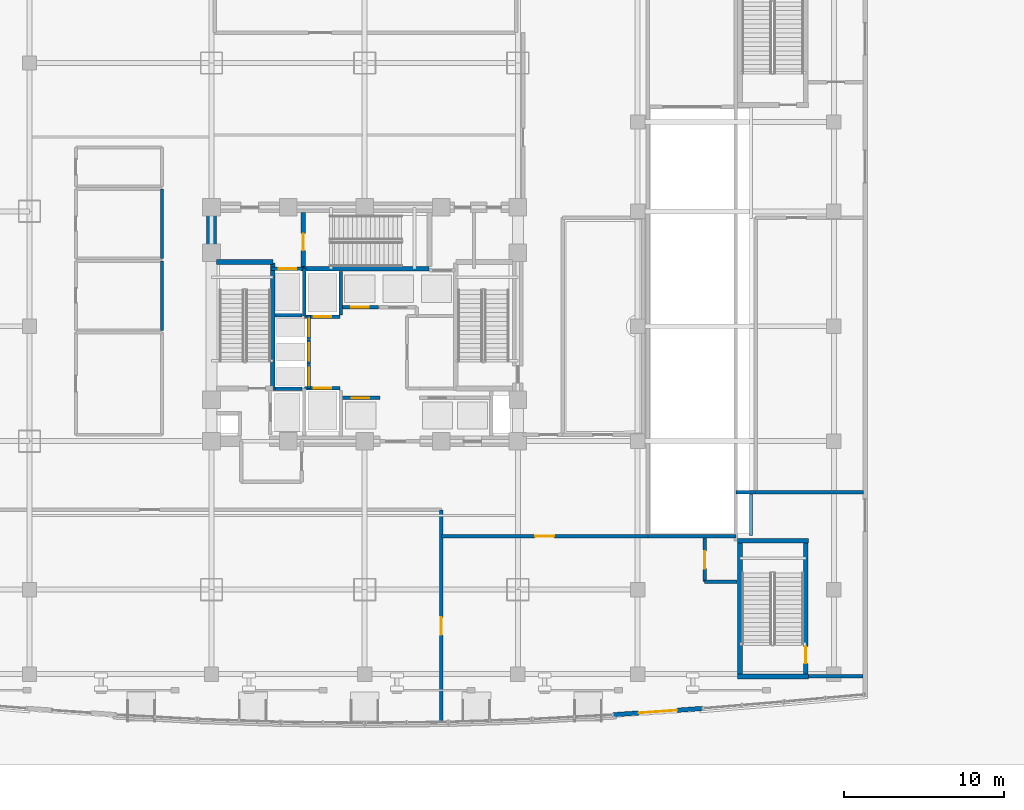
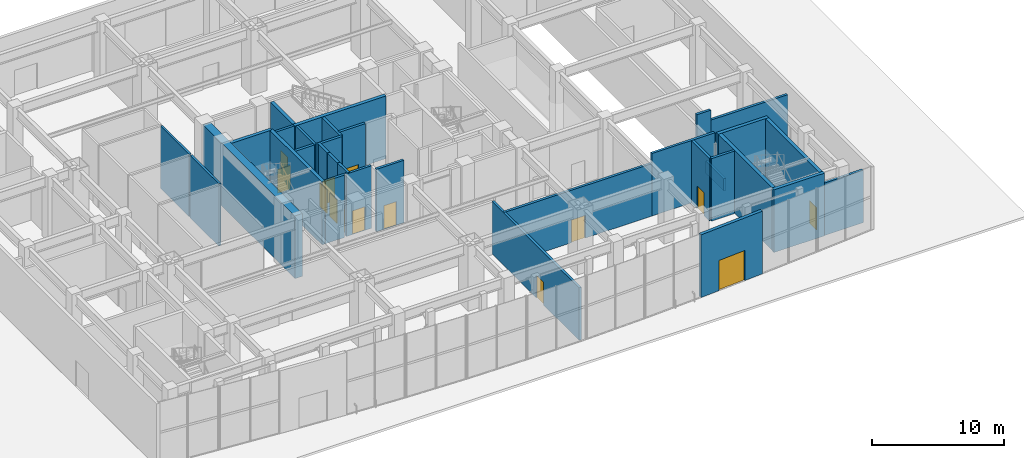
# One storey, part 13 of 23: 33 walls, 14 doors, 14 openings.
"""IFC4 building model written with IfcOpenShell, lengths in metres."""

from ifc_helpers import new_model, si_unit, direction, frame, frame_2d, origin, place, context, subcontext, project, spatial, rectangle, extrude, material, layer, layer_set, type_object, element, fill, save


model = new_model("IFC4")

# Units and contexts
model_context = context("Model", 3, precision=1e-05, world=origin(), true_north=direction((0.0, 1.0)))
body_context = subcontext(model_context, "Body", "Model", "MODEL_VIEW")
ifc_project = project(units=[si_unit("LENGTHUNIT", "METRE"), si_unit("AREAUNIT", "SQUARE_METRE"), si_unit("VOLUMEUNIT", "CUBIC_METRE"), si_unit("PLANEANGLEUNIT", "RADIAN"), si_unit("MASSUNIT", "GRAM", prefix="KILO")], contexts=[model_context])

# Site, building, storey
site_placement = place(None, origin())
site = spatial("IfcSite", under=ifc_project, at=site_placement, CompositionType="ELEMENT")
building_placement = place(site_placement, origin())
building = spatial("IfcBuilding", under=site, at=building_placement, Name="Vantalir Tower", CompositionType="ELEMENT")
storey_placement = place(building_placement, origin())
storey = spatial("IfcBuildingStorey", under=building, at=storey_placement, Name="L00", CompositionType="ELEMENT", Elevation=0.0)

# Wall
ifc_material_1 = material(Name="Concrete C60/75", Category="concrete")
ifc_layer_1 = layer(ifc_material_1, 0.64990234375)
ifc_layer_set_1 = layer_set([ifc_layer_1], Name="Concrete C60/75")
wall_type_1 = type_object("IfcWallType", Name="WL-CORE-650", PredefinedType="SHEAR", material=ifc_layer_set_1)
wall_1_placement = place(storey_placement, frame((21.89990234375, 18.125, 0.0), z_axis=(0.0, 0.0, 1.0), x_axis=(0.0, 1.0, 0.0)))
element("IfcWall", 1, at=wall_1_placement, inside=storey, type_object=wall_type_1, Name="L00 Core Shear Wall West", PredefinedType="SHEAR", context=body_context, shape_type="SweptSolid", body=[
    extrude(rectangle(XDim=14.0, YDim=0.64990234375, at=frame_2d((7.0, 0.0))), origin(), (0.0, 0.0, 1.0), 5.820068359375),
])

# Wall, opening, door
ifc_material_2 = material(Name="Precast concrete C40/50 with insulated PVDF rainscreen", Category="concrete")
ifc_layer_2 = layer(ifc_material_2, 0.280029296875)
ifc_layer_set_2 = layer_set([ifc_layer_2], Name="Precast concrete C40/50 with insulated PVDF rainscreen")
wall_type_2 = type_object("IfcWallType", Name="WL-EXT-POD-280", PredefinedType="SOLIDWALL", material=ifc_layer_set_2)
wall_2_placement = place(storey_placement, frame((47.06494140625, 0.654052734375, 0.0), z_axis=(0.0, 0.0, 1.0), x_axis=(0.997490275024, 0.070803610312, 0.0)))
wall_2 = element("IfcWall", 2, at=wall_2_placement, inside=storey, type_object=wall_type_2, Name="L00 Observation Concourse Grand Entrance Portal Wall", PredefinedType="SOLIDWALL", context=body_context, shape_type="SweptSolid", body=[
    extrude(rectangle(XDim=5.63427734375, YDim=0.280029296875, at=frame_2d((2.817138671875, 0.0))), origin(), (0.0, 0.0, 1.0), 5.820068359375),
])
opening_1_placement = place(wall_2_placement, frame((1.616943359375, 0.0, 0.0)))
opening_1 = element("IfcOpeningElement", 3, at=opening_1_placement, cuts=wall_2, Name="Opening D-ENT02", PredefinedType="OPENING", context=body_context, shape_type="SweptSolid", body=[
    extrude(rectangle(XDim=2.39990234375, YDim=2.800048828125, at=frame_2d((1.199951171875, 1.39990234375))), frame((0.0, 0.14990234375, 0.0), z_axis=(0.0, -1.0, 0.0), x_axis=(1.0, 0.0, 0.0)), (0.0, 0.0, 1.0), 0.300048828125),
])
ifc_material_3 = material(Name="Champagne-silver aluminium glazed entrance door", Category="aluminium")
door_type_1 = type_object("IfcDoorType", Name="DR-EXT-LOBBY-2400", OperationType="DOUBLE_DOOR_SINGLE_SWING", PredefinedType="DOOR", material=ifc_material_3)
door_1_placement = place(opening_1_placement, frame((2.39990234375, 0.0, 0.0), z_axis=(0.0, 0.0, 1.0), x_axis=(-1.0, 0.0, 0.0)))
door_1 = element("IfcDoor", 4, at=door_1_placement, inside=storey, type_object=door_type_1, Name="Observation Concourse Grand Entrance D-ENT02", OperationType="DOUBLE_DOOR_SINGLE_SWING", OverallHeight=2.800048828125, OverallWidth=2.39990234375, PredefinedType="DOOR", context=body_context, shape_type="SweptSolid", body=[
    extrude(rectangle(XDim=2.39990234375, YDim=2.800048828125, at=frame_2d((1.199951171875, 1.39990234375))), frame((0.0, 0.02490234375, 0.0), z_axis=(0.0, -1.0, 0.0), x_axis=(1.0, 0.0, 0.0)), (0.0, 0.0, 1.0), 0.050048828125),
])
fill(opening_1, door_1)

# Wall
ifc_material_4 = material(Name="Concrete blockwork with fireboard lining", Category="masonry")
ifc_layer_3 = layer(ifc_material_4, 0.219970703125)
ifc_layer_set_3 = layer_set([ifc_layer_3], Name="Concrete blockwork with fireboard lining")
wall_type_3 = type_object("IfcWallType", Name="WL-FFL-220", PredefinedType="PARTITIONING", material=ifc_layer_set_3)
wall_3_placement = place(storey_placement, frame((30.0, 25.7099609375, 0.0), z_axis=(0.0, 0.0, 1.0), x_axis=(0.0, 1.0, 0.0)))
element("IfcWall", 5, at=wall_3_placement, inside=storey, type_object=wall_type_3, Name="L00 Service Lift SV2 East Shaft Wall", PredefinedType="PARTITIONING", context=body_context, shape_type="SweptSolid", body=[
    extrude(rectangle(XDim=2.72998046875, YDim=0.219970703125, at=frame_2d((1.364990234375, 0.0))), origin(), (0.0, 0.0, 1.0), 5.794921875),
])

# Wall, opening, door
wall_4_placement = place(storey_placement, frame((25.639892578125, 28.610107421875, 0.0), z_axis=(0.0, 0.0, 1.0), x_axis=(1.0, 0.0, 0.0)))
wall_4 = element("IfcWall", 6, at=wall_4_placement, inside=storey, type_object=wall_type_3, Name="L00 Lift FL2 Shaft Front Wall", PredefinedType="PARTITIONING", context=body_context, shape_type="SweptSolid", body=[
    extrude(rectangle(XDim=2.02001953125, YDim=0.219970703125, at=frame_2d((1.010009765625, 0.0))), origin(), (0.0, 0.0, 1.0), 5.800048828125),
])
opening_2_placement = place(wall_4_placement, frame((0.4599609375, 0.0, 0.0)))
opening_2 = element("IfcOpeningElement", 7, at=opening_2_placement, cuts=wall_4, Name="Opening LD-FL2", PredefinedType="OPENING", context=body_context, shape_type="SweptSolid", body=[
    extrude(rectangle(XDim=1.10009765625, YDim=2.199951171875, at=frame_2d((0.550048828125, 1.10009765625))), frame((0.0, 0.119873046875, 0.0), z_axis=(0.0, -1.0, 0.0), x_axis=(1.0, 0.0, 0.0)), (0.0, 0.0, 1.0), 0.239990234375),
])
ifc_material_5 = material(Name="Brushed stainless-steel sliding lift landing door", Category="steel")
door_type_2 = type_object("IfcDoorType", Name="DR-LIFT-LANDING-1100", OperationType="DOUBLE_DOOR_SLIDING", PredefinedType="DOOR", material=ifc_material_5)
door_2_placement = place(opening_2_placement, origin())
door_2 = element("IfcDoor", 8, at=door_2_placement, inside=storey, type_object=door_type_2, Name="L00 Lift Landing Door FL2", OperationType="DOUBLE_DOOR_SLIDING", OverallHeight=2.199951171875, OverallWidth=1.10009765625, PredefinedType="DOOR", context=body_context, shape_type="SweptSolid", body=[
    extrude(rectangle(XDim=1.10009765625, YDim=2.199951171875, at=frame_2d((0.550048828125, 1.10009765625))), frame((0.0, 0.02490234375, 0.0), z_axis=(0.0, -1.0, 0.0), x_axis=(1.0, 0.0, 0.0)), (0.0, 0.0, 1.0), 0.050048828125),
])
fill(opening_2, door_2)

wall_5_placement = place(storey_placement, frame((27.739990234375, 21.110107421875, 0.0), z_axis=(0.0, 0.0, 1.0), x_axis=(1.0, 0.0, 0.0)))
wall_5 = element("IfcWall", 9, at=wall_5_placement, inside=storey, type_object=wall_type_3, Name="L00 Lift SV1 Shaft Front Wall", PredefinedType="PARTITIONING", context=body_context, shape_type="SweptSolid", body=[
    extrude(rectangle(XDim=2.219970703125, YDim=0.219970703125, at=frame_2d((1.10986328125, 0.0))), origin(), (0.0, 0.0, 1.0), 5.800048828125),
])
opening_3_placement = place(wall_5_placement, frame((0.56005859375, 0.0, 0.0)))
opening_3 = element("IfcOpeningElement", 10, at=opening_3_placement, cuts=wall_5, Name="Opening LD-SV1", PredefinedType="OPENING", context=body_context, shape_type="SweptSolid", body=[
    extrude(rectangle(XDim=1.10009765625, YDim=2.199951171875, at=frame_2d((0.550048828125, 1.10009765625))), frame((0.0, 0.119873046875, 0.0), z_axis=(0.0, -1.0, 0.0), x_axis=(1.0, 0.0, 0.0)), (0.0, 0.0, 1.0), 0.239990234375),
])
door_3_placement = place(opening_3_placement, origin())
door_3 = element("IfcDoor", 11, at=door_3_placement, inside=storey, type_object=door_type_2, Name="L00 Lift Landing Door SV1", OperationType="DOUBLE_DOOR_SLIDING", OverallHeight=2.199951171875, OverallWidth=1.10009765625, PredefinedType="DOOR", context=body_context, shape_type="SweptSolid", body=[
    extrude(rectangle(XDim=1.10009765625, YDim=2.199951171875, at=frame_2d((0.550048828125, 1.10009765625))), frame((0.0, 0.02490234375, 0.0), z_axis=(0.0, -1.0, 0.0), x_axis=(1.0, 0.0, 0.0)), (0.0, 0.0, 1.0), 0.050048828125),
])
fill(opening_3, door_3)

wall_6_placement = place(storey_placement, frame((27.739990234375, 25.590087890625, 0.0), z_axis=(0.0, 0.0, 1.0), x_axis=(1.0, 0.0, 0.0)))
wall_6 = element("IfcWall", 12, at=wall_6_placement, inside=storey, type_object=wall_type_3, Name="L00 Lift SV2 Shaft Front Wall", PredefinedType="PARTITIONING", context=body_context, shape_type="SweptSolid", body=[
    extrude(rectangle(XDim=2.219970703125, YDim=0.219970703125, at=frame_2d((1.10986328125, 0.0))), origin(), (0.0, 0.0, 1.0), 5.800048828125),
])
opening_4_placement = place(wall_6_placement, frame((0.56005859375, 0.0, 0.0)))
opening_4 = element("IfcOpeningElement", 13, at=opening_4_placement, cuts=wall_6, Name="Opening LD-SV2", PredefinedType="OPENING", context=body_context, shape_type="SweptSolid", body=[
    extrude(rectangle(XDim=1.10009765625, YDim=2.199951171875, at=frame_2d((0.550048828125, 1.10009765625))), frame((0.0, 0.119873046875, 0.0), z_axis=(0.0, -1.0, 0.0), x_axis=(1.0, 0.0, 0.0)), (0.0, 0.0, 1.0), 0.239990234375),
])
door_4_placement = place(opening_4_placement, frame((1.10009765625, 0.0, 0.0), z_axis=(0.0, 0.0, 1.0), x_axis=(-1.0, 0.0, 0.0)))
door_4 = element("IfcDoor", 14, at=door_4_placement, inside=storey, type_object=door_type_2, Name="L00 Lift Landing Door SV2", OperationType="DOUBLE_DOOR_SLIDING", OverallHeight=2.199951171875, OverallWidth=1.10009765625, PredefinedType="DOOR", context=body_context, shape_type="SweptSolid", body=[
    extrude(rectangle(XDim=1.10009765625, YDim=2.199951171875, at=frame_2d((0.550048828125, 1.10009765625))), frame((0.0, 0.02490234375, 0.0), z_axis=(0.0, -1.0, 0.0), x_axis=(1.0, 0.0, 0.0)), (0.0, 0.0, 1.0), 0.050048828125),
])
fill(opening_4, door_4)

wall_7_placement = place(storey_placement, frame((30.0400390625, 20.510009765625, 0.0), z_axis=(0.0, 0.0, 1.0), x_axis=(1.0, 0.0, 0.0)))
wall_7 = element("IfcWall", 15, at=wall_7_placement, inside=storey, type_object=wall_type_3, Name="L00 Lift PL-X1 Shaft Front Wall", PredefinedType="PARTITIONING", context=body_context, shape_type="SweptSolid", body=[
    extrude(rectangle(XDim=2.419921875, YDim=0.219970703125, at=frame_2d((1.2099609375, 0.0))), origin(), (0.0, 0.0, 1.0), 5.800048828125),
])
opening_5_placement = place(wall_7_placement, frame((0.659912109375, 0.0, 0.0)))
opening_5 = element("IfcOpeningElement", 16, at=opening_5_placement, cuts=wall_7, Name="Opening LD-PL-X1", PredefinedType="OPENING", context=body_context, shape_type="SweptSolid", body=[
    extrude(rectangle(XDim=1.10009765625, YDim=2.199951171875, at=frame_2d((0.550048828125, 1.10009765625))), frame((0.0, 0.119873046875, 0.0), z_axis=(0.0, -1.0, 0.0), x_axis=(1.0, 0.0, 0.0)), (0.0, 0.0, 1.0), 0.239990234375),
])
door_5_placement = place(opening_5_placement, origin())
door_5 = element("IfcDoor", 17, at=door_5_placement, inside=storey, type_object=door_type_2, Name="L00 Lift Landing Door PL-X1", OperationType="DOUBLE_DOOR_SLIDING", OverallHeight=2.199951171875, OverallWidth=1.10009765625, PredefinedType="DOOR", context=body_context, shape_type="SweptSolid", body=[
    extrude(rectangle(XDim=1.10009765625, YDim=2.199951171875, at=frame_2d((0.550048828125, 1.10009765625))), frame((0.0, 0.02490234375, 0.0), z_axis=(0.0, -1.0, 0.0), x_axis=(1.0, 0.0, 0.0)), (0.0, 0.0, 1.0), 0.050048828125),
])
fill(opening_5, door_5)

wall_8_placement = place(storey_placement, frame((30.0400390625, 26.18994140625, 0.0), z_axis=(0.0, 0.0, 1.0), x_axis=(1.0, 0.0, 0.0)))
wall_8 = element("IfcWall", 18, at=wall_8_placement, inside=storey, type_object=wall_type_3, Name="L00 Lift PL-H1 Shaft Front Wall", PredefinedType="PARTITIONING", context=body_context, shape_type="SweptSolid", body=[
    extrude(rectangle(XDim=2.320068359375, YDim=0.219970703125, at=frame_2d((1.16015625, 0.0))), origin(), (0.0, 0.0, 1.0), 5.800048828125),
])
opening_6_placement = place(wall_8_placement, frame((0.610107421875, 0.0, 0.0)))
opening_6 = element("IfcOpeningElement", 19, at=opening_6_placement, cuts=wall_8, Name="Opening LD-PL-H1", PredefinedType="OPENING", context=body_context, shape_type="SweptSolid", body=[
    extrude(rectangle(XDim=1.10009765625, YDim=2.199951171875, at=frame_2d((0.550048828125, 1.10009765625))), frame((0.0, 0.119873046875, 0.0), z_axis=(0.0, -1.0, 0.0), x_axis=(1.0, 0.0, 0.0)), (0.0, 0.0, 1.0), 0.239990234375),
])
door_6_placement = place(opening_6_placement, frame((1.10009765625, 0.0, 0.0), z_axis=(0.0, 0.0, 1.0), x_axis=(-1.0, 0.0, 0.0)))
door_6 = element("IfcDoor", 20, at=door_6_placement, inside=storey, type_object=door_type_2, Name="L00 Lift Landing Door PL-H1", OperationType="DOUBLE_DOOR_SLIDING", OverallHeight=2.199951171875, OverallWidth=1.10009765625, PredefinedType="DOOR", context=body_context, shape_type="SweptSolid", body=[
    extrude(rectangle(XDim=1.10009765625, YDim=2.199951171875, at=frame_2d((0.550048828125, 1.10009765625))), frame((0.0, 0.02490234375, 0.0), z_axis=(0.0, -1.0, 0.0), x_axis=(1.0, 0.0, 0.0)), (0.0, 0.0, 1.0), 0.050048828125),
])
fill(opening_6, door_6)

wall_9_placement = place(storey_placement, frame((28.010009765625, 21.10009765625, 0.0), z_axis=(0.0, 0.0, 1.0), x_axis=(0.0, 1.0, 0.0)))
wall_9 = element("IfcWall", 21, at=wall_9_placement, inside=storey, type_object=wall_type_3, Name="L00 Lift PL-L1 Shaft Front Wall", PredefinedType="PARTITIONING", context=body_context, shape_type="SweptSolid", body=[
    extrude(rectangle(XDim=1.5, YDim=0.219970703125, at=frame_2d((0.75, 0.0))), origin(), (0.0, 0.0, 1.0), 5.800048828125),
])
opening_7_placement = place(wall_9_placement, frame((0.199951171875, 0.0, 0.0)))
opening_7 = element("IfcOpeningElement", 22, at=opening_7_placement, cuts=wall_9, Name="Opening LD-PL-L1", PredefinedType="OPENING", context=body_context, shape_type="SweptSolid", body=[
    extrude(rectangle(XDim=1.10009765625, YDim=2.199951171875, at=frame_2d((0.550048828125, 1.10009765625))), frame((0.0, 0.119873046875, 0.0), z_axis=(0.0, -1.0, 0.0), x_axis=(1.0, 0.0, 0.0)), (0.0, 0.0, 1.0), 0.239990234375),
])
door_7_placement = place(opening_7_placement, frame((1.10009765625, 0.0, 0.0), z_axis=(0.0, 0.0, 1.0), x_axis=(-1.0, 0.0, 0.0)))
door_7 = element("IfcDoor", 23, at=door_7_placement, inside=storey, type_object=door_type_2, Name="L00 Lift Landing Door PL-L1", OperationType="DOUBLE_DOOR_SLIDING", OverallHeight=2.199951171875, OverallWidth=1.10009765625, PredefinedType="DOOR", context=body_context, shape_type="SweptSolid", body=[
    extrude(rectangle(XDim=1.10009765625, YDim=2.199951171875, at=frame_2d((0.550048828125, 1.10009765625))), frame((0.0, 0.02490234375, 0.0), z_axis=(0.0, -1.0, 0.0), x_axis=(1.0, 0.0, 0.0)), (0.0, 0.0, 1.0), 0.050048828125),
])
fill(opening_7, door_7)

wall_10_placement = place(storey_placement, frame((28.010009765625, 22.639892578125, 0.0), z_axis=(0.0, 0.0, 1.0), x_axis=(0.0, 1.0, 0.0)))
wall_10 = element("IfcWall", 24, at=wall_10_placement, inside=storey, type_object=wall_type_3, Name="L00 Lift PL-L2 Shaft Front Wall", PredefinedType="PARTITIONING", context=body_context, shape_type="SweptSolid", body=[
    extrude(rectangle(XDim=1.5, YDim=0.219970703125, at=frame_2d((0.75, 0.0))), origin(), (0.0, 0.0, 1.0), 5.800048828125),
])
opening_8_placement = place(wall_10_placement, frame((0.199951171875, 0.0, 0.0)))
opening_8 = element("IfcOpeningElement", 25, at=opening_8_placement, cuts=wall_10, Name="Opening LD-PL-L2", PredefinedType="OPENING", context=body_context, shape_type="SweptSolid", body=[
    extrude(rectangle(XDim=1.10009765625, YDim=2.199951171875, at=frame_2d((0.550048828125, 1.10009765625))), frame((0.0, 0.119873046875, 0.0), z_axis=(0.0, -1.0, 0.0), x_axis=(1.0, 0.0, 0.0)), (0.0, 0.0, 1.0), 0.239990234375),
])
door_8_placement = place(opening_8_placement, frame((1.10009765625, 0.0, 0.0), z_axis=(0.0, 0.0, 1.0), x_axis=(-1.0, 0.0, 0.0)))
door_8 = element("IfcDoor", 26, at=door_8_placement, inside=storey, type_object=door_type_2, Name="L00 Lift Landing Door PL-L2", OperationType="DOUBLE_DOOR_SLIDING", OverallHeight=2.199951171875, OverallWidth=1.10009765625, PredefinedType="DOOR", context=body_context, shape_type="SweptSolid", body=[
    extrude(rectangle(XDim=1.10009765625, YDim=2.199951171875, at=frame_2d((0.550048828125, 1.10009765625))), frame((0.0, 0.02490234375, 0.0), z_axis=(0.0, -1.0, 0.0), x_axis=(1.0, 0.0, 0.0)), (0.0, 0.0, 1.0), 0.050048828125),
])
fill(opening_8, door_8)

wall_11_placement = place(storey_placement, frame((28.010009765625, 24.179931640625, 0.0), z_axis=(0.0, 0.0, 1.0), x_axis=(0.0, 1.0, 0.0)))
wall_11 = element("IfcWall", 27, at=wall_11_placement, inside=storey, type_object=wall_type_3, Name="L00 Lift PL-L3 Shaft Front Wall", PredefinedType="PARTITIONING", context=body_context, shape_type="SweptSolid", body=[
    extrude(rectangle(XDim=1.5, YDim=0.219970703125, at=frame_2d((0.75, 0.0))), origin(), (0.0, 0.0, 1.0), 5.800048828125),
])
opening_9_placement = place(wall_11_placement, frame((0.199951171875, 0.0, 0.0)))
opening_9 = element("IfcOpeningElement", 28, at=opening_9_placement, cuts=wall_11, Name="Opening LD-PL-L3", PredefinedType="OPENING", context=body_context, shape_type="SweptSolid", body=[
    extrude(rectangle(XDim=1.10009765625, YDim=2.199951171875, at=frame_2d((0.550048828125, 1.10009765625))), frame((0.0, 0.119873046875, 0.0), z_axis=(0.0, -1.0, 0.0), x_axis=(1.0, 0.0, 0.0)), (0.0, 0.0, 1.0), 0.239990234375),
])
door_9_placement = place(opening_9_placement, frame((1.10009765625, 0.0, 0.0), z_axis=(0.0, 0.0, 1.0), x_axis=(-1.0, 0.0, 0.0)))
door_9 = element("IfcDoor", 29, at=door_9_placement, inside=storey, type_object=door_type_2, Name="L00 Lift Landing Door PL-L3", OperationType="DOUBLE_DOOR_SLIDING", OverallHeight=2.199951171875, OverallWidth=1.10009765625, PredefinedType="DOOR", context=body_context, shape_type="SweptSolid", body=[
    extrude(rectangle(XDim=1.10009765625, YDim=2.199951171875, at=frame_2d((0.550048828125, 1.10009765625))), frame((0.0, 0.02490234375, 0.0), z_axis=(0.0, -1.0, 0.0), x_axis=(1.0, 0.0, 0.0)), (0.0, 0.0, 1.0), 0.050048828125),
])
fill(opening_9, door_9)

# Walls
wall_12_placement = place(storey_placement, frame((27.699951171875, 25.64990234375, 0.0), z_axis=(0.0, 0.0, 1.0), x_axis=(0.0, 1.0, 0.0)))
element("IfcWall", 30, at=wall_12_placement, inside=storey, type_object=wall_type_3, Name="L00 Fire Lift FL2 Dividing Wall", PredefinedType="PARTITIONING", context=body_context, shape_type="SweptSolid", body=[
    extrude(rectangle(XDim=3.0, YDim=0.219970703125, at=frame_2d((1.5, 0.0))), origin(), (0.0, 0.0, 1.0), 5.800048828125),
])
for number, where, z_axis, x_axis, name in (
    (31, (25.8798828125, 21.080078125, 0.0), (0.0, 0.0, 1.0), (1.0, 0.0, 0.0), "L00 Low-Rise Bank South Wall"),
    (32, (25.8798828125, 25.679931640625, 0.0), (0.0, 0.0, 1.0), (1.0, 0.0, 0.0), "L00 Low-Rise Bank North Wall"),
):
    element("IfcWall", number, at=place(storey_placement, frame(where, z_axis=z_axis, x_axis=x_axis)), inside=storey, type_object=wall_type_3, Name=name, PredefinedType="PARTITIONING", context=body_context, shape_type="SweptSolid", body=[
        extrude(rectangle(XDim=1.7001953125, YDim=0.219970703125, at=frame_2d((0.85009765625, 0.0))), origin(), (0.0, 0.0, 1.0), 5.800048828125),
    ])
wall_13_placement = place(storey_placement, frame((49.25, 11.85009765625, 0.0), z_axis=(0.0, 0.0, 1.0), x_axis=(1.0, 0.0, 0.0)))
element("IfcWall", 33, at=wall_13_placement, inside=storey, type_object=wall_type_3, Name="L00 Car Park Ramp Enclosure South", PredefinedType="PARTITIONING", context=body_context, shape_type="SweptSolid", body=[
    extrude(rectangle(XDim=5.5, YDim=0.219970703125, at=frame_2d((2.75, 0.0))), origin(), (0.0, 0.0, 1.0), 5.800048828125),
])

# Wall, opening, door
wall_14_placement = place(storey_placement, frame((36.300048828125, 0.25, 0.0), z_axis=(0.0, 0.0, 1.0), x_axis=(0.0, 1.0, 0.0)))
wall_14 = element("IfcWall", 34, at=wall_14_placement, inside=storey, type_object=wall_type_3, Name="L00 Hotel-Observatory Segregation Wall", PredefinedType="PARTITIONING", context=body_context, shape_type="SweptSolid", body=[
    extrude(rectangle(XDim=13.25, YDim=0.219970703125, at=frame_2d((6.625, 0.0))), origin(), (0.0, 0.0, 1.0), 4.867919921875),
])
opening_10_placement = place(wall_14_placement, frame((5.4130859375, 0.0, 0.0)))
opening_10 = element("IfcOpeningElement", 35, at=opening_10_placement, cuts=wall_14, Name="Opening D-FFL", PredefinedType="OPENING", context=body_context, shape_type="SweptSolid", body=[
    extrude(rectangle(XDim=1.10009765625, YDim=2.10009765625, at=frame_2d((0.550048828125, 1.050048828125))), frame((0.0, 0.119873046875, 0.0), z_axis=(0.0, -1.0, 0.0), x_axis=(1.0, 0.0, 0.0)), (0.0, 0.0, 1.0), 0.239990234375),
])
ifc_material_6 = material(Name="Fire-rated acoustic steel door", Category="steel")
door_type_3 = type_object("IfcDoorType", Name="DR-FIRE-LOBBY-1100", OperationType="NOTDEFINED", PredefinedType="DOOR", material=ifc_material_6)
door_10_placement = place(opening_10_placement, origin())
door_10 = element("IfcDoor", 36, at=door_10_placement, inside=storey, type_object=door_type_3, Name="L00 Concourse Cross-Egress Door", OperationType="SINGLE_SWING_LEFT", OverallHeight=2.10009765625, OverallWidth=1.10009765625, PredefinedType="DOOR", context=body_context, shape_type="SweptSolid", body=[
    extrude(rectangle(XDim=1.10009765625, YDim=2.10009765625, at=frame_2d((0.550048828125, 1.050048828125))), frame((0.0, 0.02490234375, 0.0), z_axis=(0.0, -1.0, 0.0), x_axis=(1.0, 0.0, 0.0)), (0.0, 0.0, 1.0), 0.050048828125),
])
fill(opening_10, door_10)

wall_15_placement = place(storey_placement, frame((36.300048828125, 11.85009765625, 0.0), z_axis=(0.0, 0.0, 1.0), x_axis=(1.0, 0.0, 0.0)))
wall_15 = element("IfcWall", 37, at=wall_15_placement, inside=storey, type_object=wall_type_3, Name="L00 Observation Concourse North Fire Wall", PredefinedType="PARTITIONING", context=body_context, shape_type="SweptSolid", body=[
    extrude(rectangle(XDim=12.949951171875, YDim=0.219970703125, at=frame_2d((6.47509765625, 0.0))), origin(), (0.0, 0.0, 1.0), 4.867919921875),
])
opening_11_placement = place(wall_15_placement, frame((5.875, 0.0, 0.0)))
opening_11 = element("IfcOpeningElement", 38, at=opening_11_placement, cuts=wall_15, Name="Opening D-STE", PredefinedType="OPENING", context=body_context, shape_type="SweptSolid", body=[
    extrude(rectangle(XDim=1.199951171875, YDim=2.10009765625, at=frame_2d((0.60009765625, 1.050048828125))), frame((0.0, 0.119873046875, 0.0), z_axis=(0.0, -1.0, 0.0), x_axis=(1.0, 0.0, 0.0)), (0.0, 0.0, 1.0), 0.239990234375),
])
ifc_material_7 = material(Name="Solid-core teak veneer suite entrance door", Category="wood")
door_type_4 = type_object("IfcDoorType", Name="DR-SUITE-ENTRY-1200", OperationType="NOTDEFINED", PredefinedType="DOOR", material=ifc_material_7)
door_11_placement = place(opening_11_placement, origin())
door_11 = element("IfcDoor", 39, at=door_11_placement, inside=storey, type_object=door_type_4, Name="L00 Observation Concourse Fire Exit Door", OperationType="SINGLE_SWING_LEFT", OverallHeight=2.10009765625, OverallWidth=1.199951171875, PredefinedType="DOOR", context=body_context, shape_type="SweptSolid", body=[
    extrude(rectangle(XDim=1.199951171875, YDim=2.10009765625, at=frame_2d((0.60009765625, 1.050048828125))), frame((0.0, 0.02490234375, 0.0), z_axis=(0.0, -1.0, 0.0), x_axis=(1.0, 0.0, 0.0)), (0.0, 0.0, 1.0), 0.050048828125),
])
fill(opening_11, door_11)

# Walls
wall_16_placement = place(storey_placement, frame((56.0, 14.60009765625, 0.0), z_axis=(0.0, 0.0, 1.0), x_axis=(1.0, 0.0, 0.0)))
element("IfcWall", 40, at=wall_16_placement, inside=storey, type_object=wall_type_3, Name="L00 Waterfront Brasserie South Wall", PredefinedType="PARTITIONING", context=body_context, shape_type="SweptSolid", body=[
    extrude(rectangle(XDim=6.75, YDim=0.219970703125, at=frame_2d((3.375, 0.0))), origin(), (0.0, 0.0, 1.0), 4.867919921875),
])
wall_17_placement = place(storey_placement, frame((59.300048828125, 3.06005859375, 0.0), z_axis=(0.0, 0.0, 1.0), x_axis=(1.0, 0.0, 0.0)))
element("IfcWall", 41, at=wall_17_placement, inside=storey, type_object=wall_type_3, Name="L00 South-East Exit Passage South Wall", PredefinedType="PARTITIONING", context=body_context, shape_type="SweptSolid", body=[
    extrude(rectangle(XDim=3.419921875, YDim=0.219970703125, at=frame_2d((1.7099609375, 0.0))), origin(), (0.0, 0.0, 1.0), 4.867919921875),
])
wall_18_placement = place(storey_placement, frame((54.75, 14.60009765625, 0.0), z_axis=(0.0, 0.0, 1.0), x_axis=(1.0, 0.0, 0.0)))
element("IfcWall", 42, at=wall_18_placement, inside=storey, type_object=wall_type_3, Name="L00 South-East Exit Passage North Closure Wall", PredefinedType="PARTITIONING", context=body_context, shape_type="SweptSolid", body=[
    extrude(rectangle(XDim=1.25, YDim=0.219970703125, at=frame_2d((0.625, 0.0))), origin(), (0.0, 0.0, 1.0), 5.800048828125),
])

# Wall, opening, door
wall_19_placement = place(storey_placement, frame((52.800048828125, 9.0, 0.0), z_axis=(0.0, 0.0, 1.0), x_axis=(0.0, 1.0, 0.0)))
wall_19 = element("IfcWall", 43, at=wall_19_placement, inside=storey, type_object=wall_type_3, Name="L00 South-East Exit Passage West Wall", PredefinedType="PARTITIONING", context=body_context, shape_type="SweptSolid", body=[
    extrude(rectangle(XDim=2.72998046875, YDim=0.219970703125, at=frame_2d((1.364990234375, 0.0))), origin(), (0.0, 0.0, 1.0), 5.800048828125),
])
opening_12_placement = place(wall_19_placement, frame((0.81494140625, 0.0, 0.0)))
opening_12 = element("IfcOpeningElement", 44, at=opening_12_placement, cuts=wall_19, Name="Opening D-FFL", PredefinedType="OPENING", context=body_context, shape_type="SweptSolid", body=[
    extrude(rectangle(XDim=1.10009765625, YDim=2.10009765625, at=frame_2d((0.550048828125, 1.050048828125))), frame((0.0, 0.119873046875, 0.0), z_axis=(0.0, -1.0, 0.0), x_axis=(1.0, 0.0, 0.0)), (0.0, 0.0, 1.0), 0.239990234375),
])
door_12_placement = place(opening_12_placement, frame((1.10009765625, 0.0, 0.0), z_axis=(0.0, 0.0, 1.0), x_axis=(-1.0, 0.0, 0.0)))
door_12 = element("IfcDoor", 45, at=door_12_placement, inside=storey, type_object=door_type_3, Name="L00 South-East Exit Passage Fire Door", OperationType="SINGLE_SWING_LEFT", OverallHeight=2.10009765625, OverallWidth=1.10009765625, PredefinedType="DOOR", context=body_context, shape_type="SweptSolid", body=[
    extrude(rectangle(XDim=1.10009765625, YDim=2.10009765625, at=frame_2d((0.550048828125, 1.050048828125))), frame((0.0, 0.02490234375, 0.0), z_axis=(0.0, -1.0, 0.0), x_axis=(1.0, 0.0, 0.0)), (0.0, 0.0, 1.0), 0.050048828125),
])
fill(opening_12, door_12)

# Walls
wall_20_placement = place(storey_placement, frame((52.800048828125, 9.0, 0.0), z_axis=(0.0, 0.0, 1.0), x_axis=(1.0, 0.0, 0.0)))
element("IfcWall", 46, at=wall_20_placement, inside=storey, type_object=wall_type_3, Name="L00 South-East Exit Passage Alcove South Wall", PredefinedType="PARTITIONING", context=body_context, shape_type="SweptSolid", body=[
    extrude(rectangle(XDim=2.0400390625, YDim=0.219970703125, at=frame_2d((1.02001953125, 0.0))), origin(), (0.0, 0.0, 1.0), 5.800048828125),
])
ifc_material_8 = material(Name="Twin-stud acoustic fire-rated gypsum partition", Category="gypsum")
ifc_layer_4 = layer(ifc_material_8, 0.179931640625)
ifc_layer_set_4 = layer_set([ifc_layer_4], Name="Twin-stud acoustic fire-rated gypsum partition")
wall_type_4 = type_object("IfcWallType", Name="WL-GUEST-180", PredefinedType="PARTITIONING", material=ifc_layer_set_4)
for number, where, z_axis, x_axis, name in (
    (47, (18.800048828125, 24.75, 0.0), (0.0, 0.0, 1.0), (0.0, 1.0, 0.0), "L00 Public Male WC East Wall"),
    (48, (18.800048828125, 29.25, 0.0), (0.0, 0.0, 1.0), (0.0, 1.0, 0.0), "L00 Public Female WC East Wall"),
):
    element("IfcWall", number, at=place(storey_placement, frame(where, z_axis=z_axis, x_axis=x_axis)), inside=storey, type_object=wall_type_4, Name=name, PredefinedType="PARTITIONING", context=body_context, shape_type="SweptSolid", body=[
        extrude(rectangle(XDim=4.35009765625, YDim=0.179931640625, at=frame_2d((2.175048828125, 0.0))), origin(), (0.0, 0.0, 1.0), 5.800048828125),
    ])
ifc_material_9 = material(Name="Concrete C40/50 parapet upstand", Category="concrete")
ifc_layer_5 = layer(ifc_material_9, 0.199951171875)
ifc_layer_set_5 = layer_set([ifc_layer_5], Name="Concrete C40/50 parapet upstand")
wall_type_5 = type_object("IfcWallType", Name="WL-PARA-200", PredefinedType="PARAPET", material=ifc_layer_set_5)
wall_21_placement = place(storey_placement, frame((55.7099609375, 11.89990234375, 0.0), z_axis=(0.0, 0.0, 1.0), x_axis=(0.0, 1.0, 0.0)))
element("IfcWall", 49, at=wall_21_placement, inside=storey, type_object=wall_type_5, Name="L00 Car Park Ramp East Kerb Guard Wall 1", PredefinedType="PARAPET", context=body_context, shape_type="SweptSolid", body=[
    extrude(rectangle(XDim=2.75, YDim=0.199951171875, at=frame_2d((1.375, 0.0))), origin(), (0.0, 0.0, 1.0), 1.1201171875),
])
ifc_material_10 = material(Name="Concrete C50/60", Category="concrete")
ifc_layer_6 = layer(ifc_material_10, 0.300048828125)
ifc_layer_set_6 = layer_set([ifc_layer_6], Name="Concrete C50/60")
wall_type_6 = type_object("IfcWallType", Name="WL-STAIR-300", PredefinedType="SHEAR", material=ifc_layer_set_6)
wall_22_placement = place(storey_placement, frame((22.22509765625, 29.02001953125, 0.0), z_axis=(0.0, 0.0, 1.0), x_axis=(1.0, 0.0, 0.0)))
element("IfcWall", 50, at=wall_22_placement, inside=storey, type_object=wall_type_6, Name="L00 Stair ST1 North Wall", PredefinedType="SHEAR", context=body_context, shape_type="SweptSolid", body=[
    extrude(rectangle(XDim=3.514892578125, YDim=0.300048828125, at=frame_2d((1.75732421875, 0.0))), origin(), (0.0, 0.0, 1.0), 5.820068359375),
])
wall_23_placement = place(storey_placement, frame((25.739990234375, 20.97998046875, 0.0), z_axis=(0.0, 0.0, 1.0), x_axis=(0.0, 1.0, 0.0)))
element("IfcWall", 51, at=wall_23_placement, inside=storey, type_object=wall_type_6, Name="L00 Stair ST1 East Wall", PredefinedType="SHEAR", context=body_context, shape_type="SweptSolid", body=[
    extrude(rectangle(XDim=7.989990234375, YDim=0.300048828125, at=frame_2d((3.9951171875, 0.0))), origin(), (0.0, 0.0, 1.0), 5.820068359375),
])
wall_24_placement = place(storey_placement, frame((27.510009765625, 28.60009765625, 0.0), z_axis=(0.0, 0.0, 1.0), x_axis=(1.0, 0.0, 0.0)))
element("IfcWall", 52, at=wall_24_placement, inside=storey, type_object=wall_type_6, Name="L00 Stair ST3 South Wall", PredefinedType="SHEAR", context=body_context, shape_type="SweptSolid", body=[
    extrude(rectangle(XDim=8.030029296875, YDim=0.300048828125, at=frame_2d((4.01513671875, 0.0))), origin(), (0.0, 0.0, 1.0), 5.820068359375),
])

# Wall, opening, door
wall_25_placement = place(storey_placement, frame((27.64990234375, 28.75, 0.0), z_axis=(0.0, 0.0, 1.0), x_axis=(0.0, 1.0, 0.0)))
wall_25 = element("IfcWall", 53, at=wall_25_placement, inside=storey, type_object=wall_type_6, Name="L00 Stair ST3 West Wall", PredefinedType="SHEAR", context=body_context, shape_type="SweptSolid", body=[
    extrude(rectangle(XDim=3.375, YDim=0.300048828125, at=frame_2d((1.6875, 0.0))), origin(), (0.0, 0.0, 1.0), 5.820068359375),
])
opening_13_placement = place(wall_25_placement, frame((1.0, 0.0, 0.0)))
opening_13 = element("IfcOpeningElement", 54, at=opening_13_placement, cuts=wall_25, Name="Opening D-ST", PredefinedType="OPENING", context=body_context, shape_type="SweptSolid", body=[
    extrude(rectangle(XDim=1.050048828125, YDim=2.10009765625, at=frame_2d((0.52490234375, 1.050048828125))), frame((0.0, 0.159912109375, 0.0), z_axis=(0.0, -1.0, 0.0), x_axis=(1.0, 0.0, 0.0)), (0.0, 0.0, 1.0), 0.320068359375),
])
ifc_material_11 = material(Name="Fire-rated steel door leaf", Category="steel")
door_type_5 = type_object("IfcDoorType", Name="DR-FIRE-STAIR-1050", OperationType="NOTDEFINED", PredefinedType="DOOR", material=ifc_material_11)
door_13_placement = place(opening_13_placement, origin())
door_13 = element("IfcDoor", 55, at=door_13_placement, inside=storey, type_object=door_type_5, Name="L00 Exit Stair ST3 Fire Door", OperationType="SINGLE_SWING_LEFT", OverallHeight=2.10009765625, OverallWidth=1.050048828125, PredefinedType="DOOR", context=body_context, shape_type="SweptSolid", body=[
    extrude(rectangle(XDim=1.050048828125, YDim=2.10009765625, at=frame_2d((0.52490234375, 1.050048828125))), frame((0.0, 0.02490234375, 0.0), z_axis=(0.0, -1.0, 0.0), x_axis=(1.0, 0.0, 0.0)), (0.0, 0.0, 1.0), 0.050048828125),
])
fill(opening_13, door_13)

# Walls
for number, where, z_axis, x_axis, name in (
    (56, (54.85009765625, 3.06005859375, 0.0), (0.0, 0.0, 1.0), (1.0, 0.0, 0.0), "L00 PST4 South Wall"),
    (57, (54.85009765625, 11.56005859375, 0.0), (0.0, 0.0, 1.0), (1.0, 0.0, 0.0), "L00 PST4 North Wall"),
):
    element("IfcWall", number, at=place(storey_placement, frame(where, z_axis=z_axis, x_axis=x_axis)), inside=storey, type_object=wall_type_6, Name=name, PredefinedType="SHEAR", context=body_context, shape_type="SweptSolid", body=[
        extrude(rectangle(XDim=4.449951171875, YDim=0.300048828125, at=frame_2d((2.22509765625, 0.0))), origin(), (0.0, 0.0, 1.0), 5.820068359375),
    ])
wall_26_placement = place(storey_placement, frame((55.010009765625, 3.06005859375, 0.0), z_axis=(0.0, 0.0, 1.0), x_axis=(0.0, 1.0, 0.0)))
element("IfcWall", 58, at=wall_26_placement, inside=storey, type_object=wall_type_6, Name="L00 PST4 West Wall", PredefinedType="SHEAR", context=body_context, shape_type="SweptSolid", body=[
    extrude(rectangle(XDim=8.5, YDim=0.300048828125, at=frame_2d((4.25, 0.0))), origin(), (0.0, 0.0, 1.0), 5.820068359375),
])

# Wall, opening, door
wall_27_placement = place(storey_placement, frame((59.139892578125, 3.06005859375, 0.0), z_axis=(0.0, 0.0, 1.0), x_axis=(0.0, 1.0, 0.0)))
wall_27 = element("IfcWall", 59, at=wall_27_placement, inside=storey, type_object=wall_type_6, Name="L00 PST4 East Wall", PredefinedType="SHEAR", context=body_context, shape_type="SweptSolid", body=[
    extrude(rectangle(XDim=8.5, YDim=0.300048828125, at=frame_2d((4.25, 0.0))), origin(), (0.0, 0.0, 1.0), 5.820068359375),
])
opening_14_placement = place(wall_27_placement, frame((0.820068359375, 0.0, 0.0)))
opening_14 = element("IfcOpeningElement", 60, at=opening_14_placement, cuts=wall_27, Name="Opening D-ST", PredefinedType="OPENING", context=body_context, shape_type="SweptSolid", body=[
    extrude(rectangle(XDim=1.050048828125, YDim=2.10009765625, at=frame_2d((0.52490234375, 1.050048828125))), frame((0.0, 0.159912109375, 0.0), z_axis=(0.0, -1.0, 0.0), x_axis=(1.0, 0.0, 0.0)), (0.0, 0.0, 1.0), 0.320068359375),
])
door_14_placement = place(opening_14_placement, frame((1.050048828125, 0.0, 0.0), z_axis=(0.0, 0.0, 1.0), x_axis=(-1.0, 0.0, 0.0)))
door_14 = element("IfcDoor", 61, at=door_14_placement, inside=storey, type_object=door_type_5, Name="L00 Podium Stair PST4 Fire Door", OperationType="SINGLE_SWING_RIGHT", OverallHeight=2.10009765625, OverallWidth=1.050048828125, PredefinedType="DOOR", context=body_context, shape_type="SweptSolid", body=[
    extrude(rectangle(XDim=1.050048828125, YDim=2.10009765625, at=frame_2d((0.52490234375, 1.050048828125))), frame((0.0, 0.02490234375, 0.0), z_axis=(0.0, -1.0, 0.0), x_axis=(1.0, 0.0, 0.0)), (0.0, 0.0, 1.0), 0.050048828125),
])
fill(opening_14, door_14)

save(model, "model.ifc")
